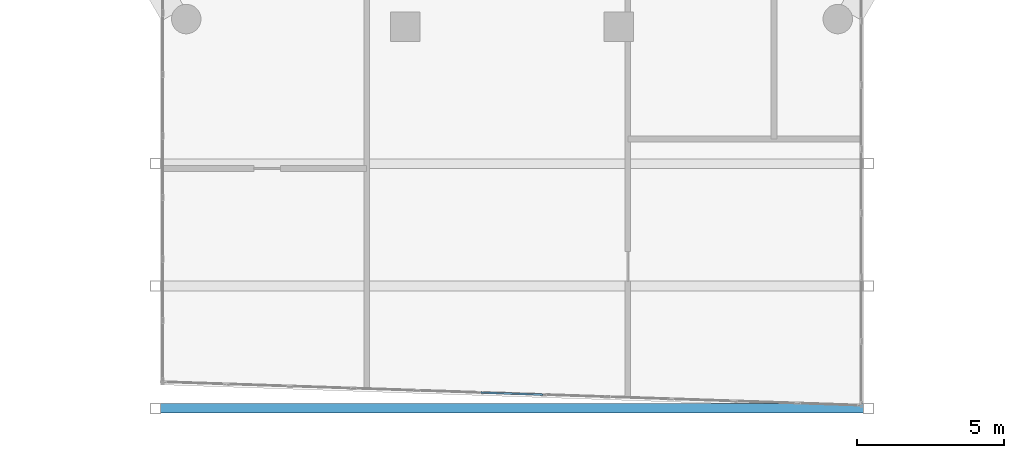
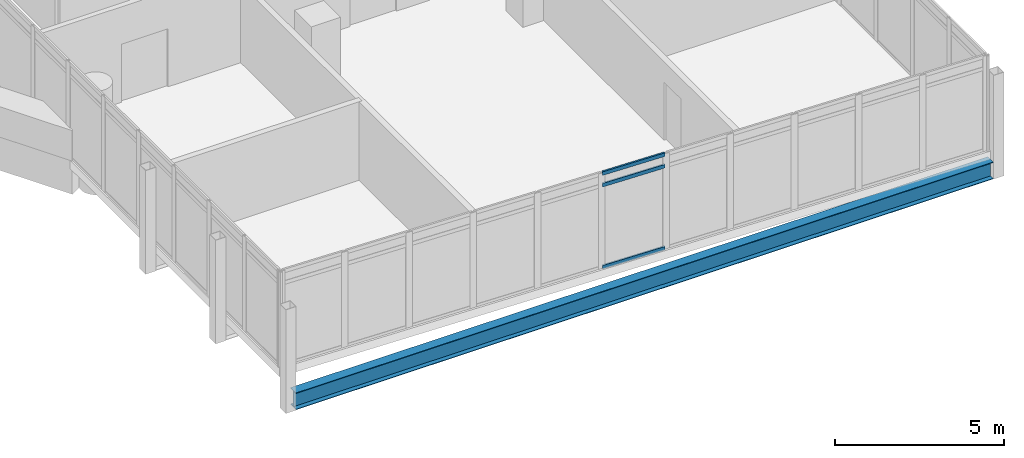
# One storey, part 4 of 29: 3 members, 1 beam, 1 element without a shape of its own.
"""IFC4 building model written with IfcOpenShell, lengths in metres."""

from ifc_helpers import new_model, si_unit, direction, frame, origin, origin_2d, place, context, subcontext, project, spatial, hollow_rectangle, i_section, extrude, material, material_profile, profile_set, type_object, element, aggregate, save


model = new_model("IFC4")

# Units and contexts
model_context = context("Model", 3, precision=1e-05, world=origin(), true_north=direction((0.0, 1.0)))
body_context = subcontext(model_context, "Body", "Model", "MODEL_VIEW")
ifc_project = project(units=[si_unit("LENGTHUNIT", "METRE"), si_unit("AREAUNIT", "SQUARE_METRE"), si_unit("VOLUMEUNIT", "CUBIC_METRE"), si_unit("PLANEANGLEUNIT", "RADIAN"), si_unit("MASSUNIT", "GRAM", prefix="KILO")], contexts=[model_context])

# Site, building, storey
site_placement = place(None, origin())
site = spatial("IfcSite", under=ifc_project, at=site_placement, CompositionType="ELEMENT")
building_placement = place(site_placement, origin())
building = spatial("IfcBuilding", under=site, at=building_placement, Name="Ostrander Bayou Hotel Tower", CompositionType="ELEMENT")
storey_placement = place(building_placement, frame((0.0, 0.0, 202.0)))
storey = spatial("IfcBuildingStorey", under=building, at=storey_placement, Name="L50", CompositionType="ELEMENT", Elevation=202.0)

# Curtain wall, members
ifc_material_1 = material(Name="Aluminium and clear glass", Category="aluminium")
curtain_wall_type = type_object("IfcCurtainWallType", Name="CW-BAR glazed wall", PredefinedType="NOTDEFINED", material=ifc_material_1)
curtain_wall_placement = place(storey_placement, origin())
curtain_wall = element("IfcCurtainWall", 1, at=curtain_wall_placement, inside=storey, type_object=curtain_wall_type, Name="CW-BAR L50:SB4S:T", PredefinedType="NOTDEFINED")
ifc_material_2 = material(Name="Aluminium", Category="aluminium")
ifc_material_profile_1 = material_profile(ifc_material_2, hollow_rectangle(XDim=0.06005859375, YDim=0.1298828125, WallThickness=0.00390625, at=origin_2d()))
ifc_profile_set_1 = profile_set([ifc_material_profile_1], Name="Aluminium")
member_type = type_object("IfcMemberType", Name="CW-BR transom 60 x 130 mm", PredefinedType="USERDEFINED", material=ifc_profile_set_1)
member_1_placement = place(storey_placement, frame((-1.0478515625, -29.614990234375, 0.030029296875), z_axis=(0.999441542075, -0.033415624718, 0.0), x_axis=(0.033415624718, 0.999441542075, 0.0)))
member_1 = element("IfcMember", 2, at=member_1_placement, type_object=member_type, Name="CW-BAR transom 6.1", ObjectType="TRANSOM", PredefinedType="USERDEFINED", context=body_context, shape_type="SweptSolid", body=[
    extrude(hollow_rectangle(XDim=0.06005859375, YDim=0.1298828125, WallThickness=0.00390625, at=origin_2d()), origin(), (0.0, 0.0, 1.0), 2.096923828125),
])
member_2_placement = place(storey_placement, frame((-1.0478515625, -29.614990234375, 3.0), z_axis=(0.999441542075, -0.033415624718, 0.0), x_axis=(0.033415624718, 0.999441542075, 0.0)))
member_2 = element("IfcMember", 3, at=member_2_placement, type_object=member_type, Name="CW-BAR transom 6.2", ObjectType="TRANSOM", PredefinedType="USERDEFINED", context=body_context, shape_type="SweptSolid", body=[
    extrude(hollow_rectangle(XDim=0.06005859375, YDim=0.1298828125, WallThickness=0.00390625, at=origin_2d()), origin(), (0.0, 0.0, 1.0), 2.096923828125),
])
member_3_placement = place(storey_placement, frame((-1.0478515625, -29.614990234375, 3.419921875), z_axis=(0.999441542075, -0.033415624718, 0.0), x_axis=(0.033415624718, 0.999441542075, 0.0)))
member_3 = element("IfcMember", 4, at=member_3_placement, type_object=member_type, Name="CW-BAR transom 6.3", ObjectType="TRANSOM", PredefinedType="USERDEFINED", context=body_context, shape_type="SweptSolid", body=[
    extrude(hollow_rectangle(XDim=0.06005859375, YDim=0.1298828125, WallThickness=0.00390625, at=origin_2d()), origin(), (0.0, 0.0, 1.0), 2.096923828125),
])
aggregate(curtain_wall, [member_1, member_2, member_3])

# Beam
ifc_material_3 = material(Name="Steel ASTM A992", Category="steel")
ifc_material_profile_2 = material_profile(ifc_material_3, i_section(OverallWidth=0.32373046875, OverallDepth=0.611083984375, WebThickness=0.0126953125, FlangeThickness=0.01904296875, at=origin_2d()))
ifc_profile_set_2 = profile_set([ifc_material_profile_2], Name="Steel ASTM A992")
beam_type = type_object("IfcBeamType", Name="TF2 bar floor beam W24x104", PredefinedType="BEAM", material=ifc_profile_set_2)
beam_placement = place(storey_placement, frame((-11.93212890625, -30.14990234375, -0.605712890625), z_axis=(1.0, 0.0, 0.0), x_axis=(0.0, 1.0, 0.0)))
element("IfcBeam", 5, at=beam_placement, inside=storey, type_object=beam_type, Name="TF2 SB4S L3-3", PredefinedType="BEAM", context=body_context, shape_type="SweptSolid", body=[
    extrude(i_section(OverallWidth=0.32373046875, OverallDepth=0.611083984375, WebThickness=0.0126953125, FlangeThickness=0.01904296875, at=origin_2d()), origin(), (0.0, 0.0, 1.0), 23.8642578125),
])

save(model, "model.ifc")
